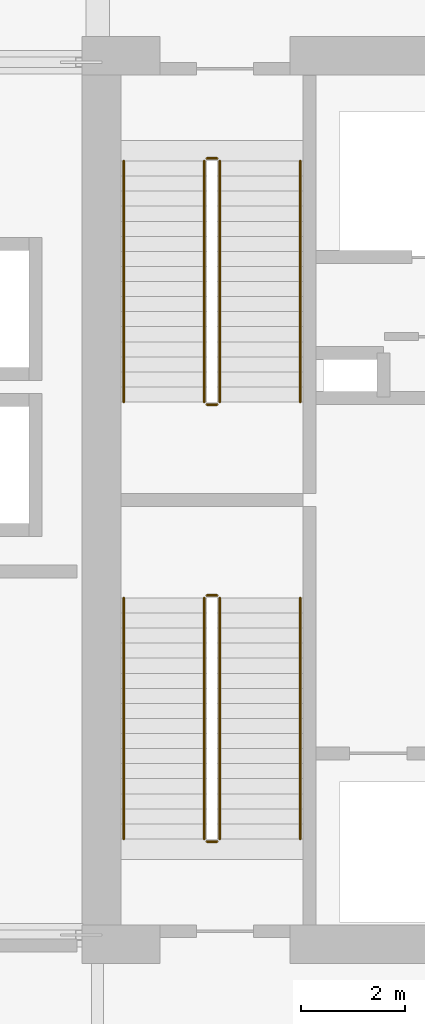
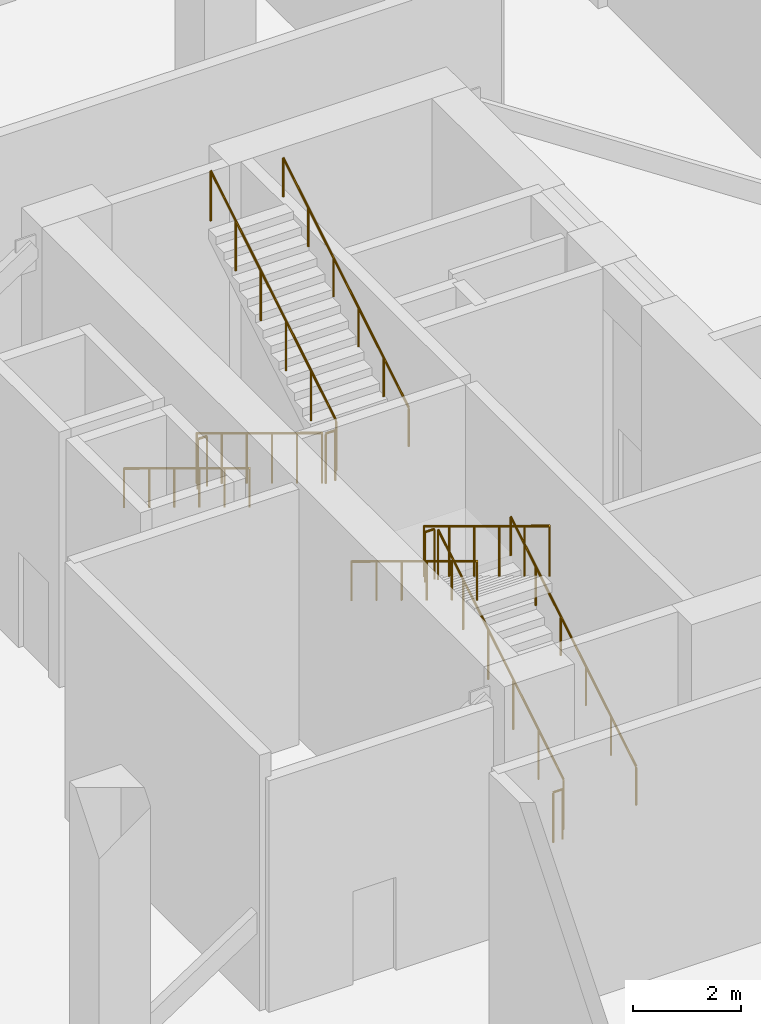
# One storey, part 16 of 16: 12 railings.
"""IFC4 building model written with IfcOpenShell, lengths in metres."""

import ifcopenshell
import ifcopenshell.guid

model = None  # the IFC model being written
_history = None  # IfcOwnerHistory: only IFC2X3 demands one
_inside = {}  # id of a spatial element -> (the spatial element, [elements in it])
_under = {}  # id of a project, library or spatial element -> (it, [spatial elements below it])
_declared = {}  # id of a project -> (the project, [libraries it declares])
_typed = {}  # id of a type object -> (the type object, [elements of that type])
_made_of = {}  # id of a material, layer set ... -> (it, [elements and type objects made of it])


def new_model(schema):
    """Start an empty IFC model of exactly this schema.

    Asked for "IFC4X3", IfcOpenShell would pick the latest addendum, in which some entities
    have other attributes; the version numbers below select the first issue.
    IFC2X3 requires an IfcOwnerHistory on every rooted entity: one is made here for all.
    """
    global model, _history
    if schema == "IFC4X3":
        model = ifcopenshell.file(schema_version=(4, 3, 0, 0))
    else:
        model = ifcopenshell.file(schema=schema)
    _inside.clear()
    _under.clear()
    _declared.clear()
    _typed.clear()
    _made_of.clear()
    _history = None
    if model.schema == "IFC2X3":
        org = make("IfcOrganization", Name="unknown")
        user = make(
            "IfcPersonAndOrganization",
            ThePerson=make("IfcPerson", FamilyName="unknown"),
            TheOrganization=org,
        )
        app = make(
            "IfcApplication",
            ApplicationDeveloper=org,
            Version="unknown",
            ApplicationFullName="unknown",
            ApplicationIdentifier="unknown",
        )
        _history = make(
            "IfcOwnerHistory",
            OwningUser=user,
            OwningApplication=app,
            ChangeAction="ADDED",
            CreationDate=0,
        )
    return model


def make(cls, **values):
    """One entity of the class cls with the attributes given. An attribute that is None is left unset."""
    return model.create_entity(
        cls, **{name: value for name, value in values.items() if value is not None}
    )


def rooted(cls, **values):
    """An entity with a GlobalId (a new one), such as an element, a storey or a relation."""
    return make(cls, GlobalId=ifcopenshell.guid.new(), OwnerHistory=_history, **values)


def si_unit(unit_type, name, prefix=None):
    """IfcSIUnit, for example si_unit("LENGTHUNIT", "METRE", prefix="MILLI")."""
    return make("IfcSIUnit", UnitType=unit_type, Prefix=prefix, Name=name)


def assignment(units):
    """IfcUnitAssignment: the units of a project."""
    return None if units is None else make("IfcUnitAssignment", Units=units)


def point(xyz):
    """IfcCartesianPoint."""
    return None if xyz is None else make("IfcCartesianPoint", Coordinates=xyz)


def direction(xyz):
    """IfcDirection."""
    return None if xyz is None else make("IfcDirection", DirectionRatios=xyz)


def frame(location, z_axis=None, x_axis=None):
    """IfcAxis2Placement3D, a coordinate frame: its origin and axes. An axis left out is left unset."""
    return make(
        "IfcAxis2Placement3D",
        Location=point(location),
        Axis=direction(z_axis),
        RefDirection=direction(x_axis),
    )


def frame_2d(location, x_axis=None):
    """IfcAxis2Placement2D, a coordinate frame in the plane: its origin and x axis."""
    return make(
        "IfcAxis2Placement2D", Location=point(location), RefDirection=direction(x_axis)
    )


def origin():
    """The frame at (0, 0, 0) with its axes left unset."""
    return frame((0.0, 0.0, 0.0))


def origin_2d():
    """The frame at (0, 0) in the plane with its x axis left unset."""
    return frame_2d((0.0, 0.0))


def place(relative_to, where):
    """IfcLocalPlacement: puts the frame where relative to a parent placement (None: the world)."""
    return make(
        "IfcLocalPlacement", PlacementRelTo=relative_to, RelativePlacement=where
    )


def context(
    kind, dimensions, precision=None, world=None, true_north=None, identifier=None
):
    """IfcGeometricRepresentationContext, for example the 3D "Model" context."""
    return make(
        "IfcGeometricRepresentationContext",
        ContextIdentifier=identifier,
        ContextType=kind,
        CoordinateSpaceDimension=dimensions,
        Precision=precision,
        WorldCoordinateSystem=world,
        TrueNorth=true_north,
    )


def subcontext(parent, identifier, kind, view, scale=None):
    """IfcGeometricRepresentationSubContext, for example "Body" below "Model"."""
    return make(
        "IfcGeometricRepresentationSubContext",
        ContextIdentifier=identifier,
        ContextType=kind,
        ParentContext=parent,
        TargetScale=scale,
        TargetView=view,
    )


def project(units=None, contexts=None):
    """IfcProject with its units and contexts."""
    return rooted(
        "IfcProject",
        Name="project",
        RepresentationContexts=contexts,
        UnitsInContext=assignment(units),
    )


def spatial(cls, under=None, at=None, **own):
    """A site, building, storey or space (cls), placed at a placement, below another one or the project."""
    s = rooted(cls, ObjectPlacement=at, **own)
    if under is not None:
        _under.setdefault(under.id(), (under, []))[1].append(s)
    return s


def profile(cls, at=None, kind="AREA", **sizes):
    """A parametric profile (cls). Its sizes go by their IFC names, for example OverallWidth=200.0."""
    return make(cls, ProfileType=kind, Position=at, **sizes)


def circle(**sizes):
    """IfcCircleProfileDef."""
    return profile("IfcCircleProfileDef", **sizes)


def extrude(swept, where, along, depth):
    """IfcExtrudedAreaSolid: the profile swept, set in the frame where, extruded along a direction by depth."""
    return make(
        "IfcExtrudedAreaSolid",
        SweptArea=swept,
        Position=where,
        ExtrudedDirection=direction(along),
        Depth=depth,
    )


def shape(context_of_items, identifier, shape_type, items):
    """IfcShapeRepresentation: the items that make up one representation, for example the "Body"."""
    return make(
        "IfcShapeRepresentation",
        ContextOfItems=context_of_items,
        RepresentationIdentifier=identifier,
        RepresentationType=shape_type,
        Items=items,
    )


def material(Name=None, Category=None):
    """IfcMaterial."""
    return make("IfcMaterial", Name=Name, Category=Category)


def made_of(thing, what):
    """Note that an element or type object is made of a material, layer set ...; save() writes the relation."""
    if what is not None:
        _made_of.setdefault(what.id(), (what, []))[1].append(thing)
    return thing


def type_object(cls, material=None, **own):
    """A type object (cls), such as IfcWallType, which elements share."""
    return made_of(rooted(cls, **own), material)


def element(
    cls,
    number,
    at=None,
    inside=None,
    cuts=None,
    type_object=None,
    material=None,
    context=None,
    identifier="Body",
    shape_type=None,
    held_by="IfcProductDefinitionShape",
    body=None,
    shapes=None,
    **own,
):
    """One element of the class cls, such as IfcWall. Its Tag is "e" and its number.

    at: its placement. inside: the storey or other place that contains it. cuts: it is an
    opening in that element (IfcRelVoidsElement). A single representation is given by context,
    identifier, shape_type and body (its items); several are given by shapes. held_by: the class
    of the entity that holds the representations. save() writes the other relations.
    """
    e = rooted(cls, Tag="e%d" % number, ObjectPlacement=at, **own)
    if body is not None:
        shapes = [shape(context, identifier, shape_type, body)]
    if shapes is not None:
        e.Representation = make(held_by, Representations=shapes)
    if inside is not None:
        _inside.setdefault(inside.id(), (inside, []))[1].append(e)
    if cuts is not None:
        rooted(
            "IfcRelVoidsElement", RelatingBuildingElement=cuts, RelatedOpeningElement=e
        )
    if type_object is not None:
        _typed.setdefault(type_object.id(), (type_object, []))[1].append(e)
    return made_of(e, material)


def aggregate(whole, parts):
    """IfcRelAggregates: a whole, such as a stair, and the parts it consists of."""
    return rooted("IfcRelAggregates", RelatingObject=whole, RelatedObjects=parts)


def save(model, path):
    """Write the relations noted so far, then the file.

    IfcRelAggregates (storeys below a building ...), IfcRelContainedInSpatialStructure (elements
    in a storey), IfcRelDefinesByType, IfcRelAssociatesMaterial and IfcRelDeclares: one each for
    every whole, place, type object, material and project.
    """
    for whole, parts in _under.values():
        aggregate(whole, parts)
    for where, things in _inside.values():
        rooted(
            "IfcRelContainedInSpatialStructure",
            RelatedElements=things,
            RelatingStructure=where,
        )
    for kind, things in _typed.values():
        rooted("IfcRelDefinesByType", RelatedObjects=things, RelatingType=kind)
    for what, things in _made_of.values():
        rooted("IfcRelAssociatesMaterial", RelatedObjects=things, RelatingMaterial=what)
    for by, libraries in _declared.values():
        rooted("IfcRelDeclares", RelatingContext=by, RelatedDefinitions=libraries)
    model.write(path)


model = new_model("IFC4")

# Units and contexts
model_context = context("Model", 3, precision=1e-05, world=origin(), true_north=direction((0.0, 1.0)))
body_context = subcontext(model_context, "Body", "Model", "MODEL_VIEW")
ifc_project = project(units=[si_unit("LENGTHUNIT", "METRE"), si_unit("AREAUNIT", "SQUARE_METRE"), si_unit("VOLUMEUNIT", "CUBIC_METRE"), si_unit("PLANEANGLEUNIT", "RADIAN"), si_unit("MASSUNIT", "GRAM", prefix="KILO")], contexts=[model_context])

# Site, building, storey
site_placement = place(None, origin())
site = spatial("IfcSite", under=ifc_project, at=site_placement, CompositionType="ELEMENT")
building_placement = place(site_placement, origin())
building = spatial("IfcBuilding", under=site, at=building_placement, Name="Koriwani Terraces Tower", CompositionType="ELEMENT")
storey_placement = place(building_placement, frame((0.0, 0.0, 162.0)))
storey = spatial("IfcBuildingStorey", under=building, at=storey_placement, Name="L39", CompositionType="ELEMENT", Elevation=162.0)

# Railings
ifc_material = material(Name="Steel ASTM A572 Grade 50", Category="steel")
railing_type_1 = type_object("IfcRailingType", Name="GUARD_STAIR_WELL_1120", PredefinedType="GUARDRAIL", material=ifc_material)
railing_1_placement = place(storey_placement, frame((19.14990234375, 43.85009765625, 0.176513671875)))
element("IfcRailing", 1, at=railing_1_placement, inside=storey, type_object=railing_type_1, Name="L39 ST-W1 stair guard 1", PredefinedType="GUARDRAIL", context=body_context, shape_type="SweptSolid", body=[
    extrude(circle(Radius=0.02392578125, at=origin_2d()), frame((0.0, 0.0, 1.1259765625), z_axis=(0.0, 0.854263648073, 0.51983999421), x_axis=(-1.0, 0.0, 0.0)), (0.0, 0.0, 1.0), 5.431396484375),
    extrude(circle(Radius=0.02099609375, at=origin_2d()), origin(), (0.0, 0.0, 1.0), 1.101806640625),
    extrude(circle(Radius=0.02099609375, at=origin_2d()), frame((0.0, 0.927978515625, 0.564697265625)), (0.0, 0.0, 1.0), 1.101806640625),
    extrude(circle(Radius=0.02099609375, at=origin_2d()), frame((0.0, 1.85595703125, 1.12939453125)), (0.0, 0.0, 1.0), 1.101806640625),
    extrude(circle(Radius=0.02099609375, at=origin_2d()), frame((0.0, 2.783935546875, 1.694091796875)), (0.0, 0.0, 1.0), 1.101806640625),
    extrude(circle(Radius=0.02099609375, at=origin_2d()), frame((0.0, 3.7119140625, 2.2587890625)), (0.0, 0.0, 1.0), 1.101806640625),
    extrude(circle(Radius=0.02099609375, at=origin_2d()), frame((0.0, 4.639892578125, 2.823486328125)), (0.0, 0.0, 1.0), 1.101806640625),
])
railing_2_placement = place(storey_placement, frame((19.10009765625, 48.5400390625, 3.0)))
element("IfcRailing", 2, at=railing_2_placement, inside=storey, type_object=railing_type_1, Name="L39 ST-W1 stair guard 2", PredefinedType="GUARDRAIL", context=body_context, shape_type="SweptSolid", body=[
    extrude(circle(Radius=0.02392578125, at=origin_2d()), frame((0.0, 0.0, 1.1259765625), z_axis=(-1.0, 0.0, 0.0), x_axis=(0.0, -1.0, 0.0)), (0.0, 0.0, 1.0), 0.2001953125),
    extrude(circle(Radius=0.02099609375, at=origin_2d()), origin(), (0.0, 0.0, 1.0), 1.101806640625),
    extrude(circle(Radius=0.02099609375, at=origin_2d()), frame((-0.2001953125, 0.0, 0.0)), (0.0, 0.0, 1.0), 1.101806640625),
])
railing_3_placement = place(storey_placement, frame((18.85009765625, 48.489990234375, 3.176513671875)))
element("IfcRailing", 3, at=railing_3_placement, inside=storey, type_object=railing_type_1, Name="L39 ST-W1 stair guard 3", PredefinedType="GUARDRAIL", context=body_context, shape_type="SweptSolid", body=[
    extrude(circle(Radius=0.02392578125, at=origin_2d()), frame((0.0, 0.0, 1.1259765625), z_axis=(0.0, -0.854263648073, 0.51983999421), x_axis=(1.0, 0.0, 0.0)), (0.0, 0.0, 1.0), 5.431396484375),
    extrude(circle(Radius=0.02099609375, at=origin_2d()), origin(), (0.0, 0.0, 1.0), 1.101806640625),
    extrude(circle(Radius=0.02099609375, at=origin_2d()), frame((0.0, -0.927978515625, 0.564697265625)), (0.0, 0.0, 1.0), 1.101806640625),
    extrude(circle(Radius=0.02099609375, at=origin_2d()), frame((0.0, -1.85595703125, 1.12939453125)), (0.0, 0.0, 1.0), 1.101806640625),
    extrude(circle(Radius=0.02099609375, at=origin_2d()), frame((0.0, -2.783935546875, 1.694091796875)), (0.0, 0.0, 1.0), 1.101806640625),
    extrude(circle(Radius=0.02099609375, at=origin_2d()), frame((0.0, -3.7119140625, 2.2587890625)), (0.0, 0.0, 1.0), 1.101806640625),
    extrude(circle(Radius=0.02099609375, at=origin_2d()), frame((0.0, -4.639892578125, 2.823486328125)), (0.0, 0.0, 1.0), 1.101806640625),
])
railing_4_placement = place(storey_placement, frame((19.10009765625, 43.800048828125, 0.0)))
element("IfcRailing", 4, at=railing_4_placement, inside=storey, type_object=railing_type_1, Name="L39 ST-W1 stair guard 4", PredefinedType="GUARDRAIL", context=body_context, shape_type="SweptSolid", body=[
    extrude(circle(Radius=0.02392578125, at=origin_2d()), frame((0.0, 0.0, 1.1259765625), z_axis=(-1.0, 0.0, 0.0), x_axis=(0.0, -1.0, 0.0)), (0.0, 0.0, 1.0), 0.2001953125),
    extrude(circle(Radius=0.02099609375, at=origin_2d()), origin(), (0.0, 0.0, 1.0), 1.101806640625),
    extrude(circle(Radius=0.02099609375, at=origin_2d()), frame((-0.2001953125, 0.0, 0.0)), (0.0, 0.0, 1.0), 1.101806640625),
])
railing_5_placement = place(storey_placement, frame((18.85009765625, 56.89990234375, 0.176513671875)))
element("IfcRailing", 5, at=railing_5_placement, inside=storey, type_object=railing_type_1, Name="L39 ST-W2 stair guard 1", PredefinedType="GUARDRAIL", context=body_context, shape_type="SweptSolid", body=[
    extrude(circle(Radius=0.02392578125, at=origin_2d()), frame((0.0, 0.0, 1.1259765625), z_axis=(0.0, -0.854263648073, 0.51983999421), x_axis=(1.0, 0.0, 0.0)), (0.0, 0.0, 1.0), 5.431396484375),
    extrude(circle(Radius=0.02099609375, at=origin_2d()), origin(), (0.0, 0.0, 1.0), 1.101806640625),
    extrude(circle(Radius=0.02099609375, at=origin_2d()), frame((0.0, -0.927978515625, 0.564697265625)), (0.0, 0.0, 1.0), 1.101806640625),
    extrude(circle(Radius=0.02099609375, at=origin_2d()), frame((0.0, -1.85595703125, 1.12939453125)), (0.0, 0.0, 1.0), 1.101806640625),
    extrude(circle(Radius=0.02099609375, at=origin_2d()), frame((0.0, -2.783935546875, 1.694091796875)), (0.0, 0.0, 1.0), 1.101806640625),
    extrude(circle(Radius=0.02099609375, at=origin_2d()), frame((0.0, -3.7119140625, 2.2587890625)), (0.0, 0.0, 1.0), 1.101806640625),
    extrude(circle(Radius=0.02099609375, at=origin_2d()), frame((0.0, -4.639892578125, 2.823486328125)), (0.0, 0.0, 1.0), 1.101806640625),
])
railing_6_placement = place(storey_placement, frame((18.89990234375, 52.2099609375, 3.0)))
element("IfcRailing", 6, at=railing_6_placement, inside=storey, type_object=railing_type_1, Name="L39 ST-W2 stair guard 2", PredefinedType="GUARDRAIL", context=body_context, shape_type="SweptSolid", body=[
    extrude(circle(Radius=0.02392578125, at=origin_2d()), frame((0.0, 0.0, 1.1259765625), z_axis=(1.0, 0.0, 0.0), x_axis=(0.0, 1.0, 0.0)), (0.0, 0.0, 1.0), 0.2001953125),
    extrude(circle(Radius=0.02099609375, at=origin_2d()), origin(), (0.0, 0.0, 1.0), 1.101806640625),
    extrude(circle(Radius=0.02099609375, at=origin_2d()), frame((0.2001953125, 0.0, 0.0)), (0.0, 0.0, 1.0), 1.101806640625),
])
railing_7_placement = place(storey_placement, frame((19.14990234375, 52.260009765625, 3.176513671875)))
element("IfcRailing", 7, at=railing_7_placement, inside=storey, type_object=railing_type_1, Name="L39 ST-W2 stair guard 3", PredefinedType="GUARDRAIL", context=body_context, shape_type="SweptSolid", body=[
    extrude(circle(Radius=0.02392578125, at=origin_2d()), frame((0.0, 0.0, 1.1259765625), z_axis=(0.0, 0.854263648073, 0.51983999421), x_axis=(-1.0, 0.0, 0.0)), (0.0, 0.0, 1.0), 5.431396484375),
    extrude(circle(Radius=0.02099609375, at=origin_2d()), origin(), (0.0, 0.0, 1.0), 1.101806640625),
    extrude(circle(Radius=0.02099609375, at=origin_2d()), frame((0.0, 0.927978515625, 0.564697265625)), (0.0, 0.0, 1.0), 1.101806640625),
    extrude(circle(Radius=0.02099609375, at=origin_2d()), frame((0.0, 1.85595703125, 1.12939453125)), (0.0, 0.0, 1.0), 1.101806640625),
    extrude(circle(Radius=0.02099609375, at=origin_2d()), frame((0.0, 2.783935546875, 1.694091796875)), (0.0, 0.0, 1.0), 1.101806640625),
    extrude(circle(Radius=0.02099609375, at=origin_2d()), frame((0.0, 3.7119140625, 2.2587890625)), (0.0, 0.0, 1.0), 1.101806640625),
    extrude(circle(Radius=0.02099609375, at=origin_2d()), frame((0.0, 4.639892578125, 2.823486328125)), (0.0, 0.0, 1.0), 1.101806640625),
])
railing_8_placement = place(storey_placement, frame((18.89990234375, 56.949951171875, 0.0)))
element("IfcRailing", 8, at=railing_8_placement, inside=storey, type_object=railing_type_1, Name="L39 ST-W2 stair guard 4", PredefinedType="GUARDRAIL", context=body_context, shape_type="SweptSolid", body=[
    extrude(circle(Radius=0.02392578125, at=origin_2d()), frame((0.0, 0.0, 1.1259765625), z_axis=(1.0, 0.0, 0.0), x_axis=(0.0, 1.0, 0.0)), (0.0, 0.0, 1.0), 0.2001953125),
    extrude(circle(Radius=0.02099609375, at=origin_2d()), origin(), (0.0, 0.0, 1.0), 1.101806640625),
    extrude(circle(Radius=0.02099609375, at=origin_2d()), frame((0.2001953125, 0.0, 0.0)), (0.0, 0.0, 1.0), 1.101806640625),
])
railing_type_2 = type_object("IfcRailingType", Name="HANDRAIL_STAIR_920", PredefinedType="HANDRAIL", material=ifc_material)
railing_9_placement = place(storey_placement, frame((20.699951171875, 43.85009765625, 0.176513671875)))
element("IfcRailing", 9, at=railing_9_placement, inside=storey, type_object=railing_type_2, Name="L39 ST-W1 stair handrail 1", PredefinedType="HANDRAIL", context=body_context, shape_type="SweptSolid", body=[
    extrude(circle(Radius=0.02392578125, at=origin_2d()), frame((0.0, 0.0, 0.8759765625), z_axis=(0.0, 0.854263648073, 0.51983999421), x_axis=(-1.0, 0.0, 0.0)), (0.0, 0.0, 1.0), 5.431396484375),
    extrude(circle(Radius=0.02099609375, at=origin_2d()), origin(), (0.0, 0.0, 1.0), 0.851806640625),
    extrude(circle(Radius=0.02099609375, at=origin_2d()), frame((0.0, 0.927978515625, 0.564697265625)), (0.0, 0.0, 1.0), 0.851806640625),
    extrude(circle(Radius=0.02099609375, at=origin_2d()), frame((0.0, 1.85595703125, 1.12939453125)), (0.0, 0.0, 1.0), 0.851806640625),
    extrude(circle(Radius=0.02099609375, at=origin_2d()), frame((0.0, 2.783935546875, 1.694091796875)), (0.0, 0.0, 1.0), 0.851806640625),
    extrude(circle(Radius=0.02099609375, at=origin_2d()), frame((0.0, 3.7119140625, 2.2587890625)), (0.0, 0.0, 1.0), 0.851806640625),
    extrude(circle(Radius=0.02099609375, at=origin_2d()), frame((0.0, 4.639892578125, 2.823486328125)), (0.0, 0.0, 1.0), 0.851806640625),
])
for number, where, name in (
    (10, (17.300048828125, 48.489990234375, 3.176513671875), "L39 ST-W1 stair handrail 2"),
    (11, (17.300048828125, 56.89990234375, 0.176513671875), "L39 ST-W2 stair handrail 1"),
):
    element("IfcRailing", number, at=place(storey_placement, frame(where)), inside=storey, type_object=railing_type_2, Name=name, PredefinedType="HANDRAIL", context=body_context, shape_type="SweptSolid", body=[
        extrude(circle(Radius=0.02392578125, at=origin_2d()), frame((0.0, 0.0, 0.8759765625), z_axis=(0.0, -0.854263648073, 0.51983999421), x_axis=(1.0, 0.0, 0.0)), (0.0, 0.0, 1.0), 5.431396484375),
        extrude(circle(Radius=0.02099609375, at=origin_2d()), origin(), (0.0, 0.0, 1.0), 0.851806640625),
        extrude(circle(Radius=0.02099609375, at=origin_2d()), frame((0.0, -0.927978515625, 0.564697265625)), (0.0, 0.0, 1.0), 0.851806640625),
        extrude(circle(Radius=0.02099609375, at=origin_2d()), frame((0.0, -1.85595703125, 1.12939453125)), (0.0, 0.0, 1.0), 0.851806640625),
        extrude(circle(Radius=0.02099609375, at=origin_2d()), frame((0.0, -2.783935546875, 1.694091796875)), (0.0, 0.0, 1.0), 0.851806640625),
        extrude(circle(Radius=0.02099609375, at=origin_2d()), frame((0.0, -3.7119140625, 2.2587890625)), (0.0, 0.0, 1.0), 0.851806640625),
        extrude(circle(Radius=0.02099609375, at=origin_2d()), frame((0.0, -4.639892578125, 2.823486328125)), (0.0, 0.0, 1.0), 0.851806640625),
    ])
railing_10_placement = place(storey_placement, frame((20.699951171875, 52.260009765625, 3.176513671875)))
element("IfcRailing", 12, at=railing_10_placement, inside=storey, type_object=railing_type_2, Name="L39 ST-W2 stair handrail 2", PredefinedType="HANDRAIL", context=body_context, shape_type="SweptSolid", body=[
    extrude(circle(Radius=0.02392578125, at=origin_2d()), frame((0.0, 0.0, 0.8759765625), z_axis=(0.0, 0.854263648073, 0.51983999421), x_axis=(-1.0, 0.0, 0.0)), (0.0, 0.0, 1.0), 5.431396484375),
    extrude(circle(Radius=0.02099609375, at=origin_2d()), origin(), (0.0, 0.0, 1.0), 0.851806640625),
    extrude(circle(Radius=0.02099609375, at=origin_2d()), frame((0.0, 0.927978515625, 0.564697265625)), (0.0, 0.0, 1.0), 0.851806640625),
    extrude(circle(Radius=0.02099609375, at=origin_2d()), frame((0.0, 1.85595703125, 1.12939453125)), (0.0, 0.0, 1.0), 0.851806640625),
    extrude(circle(Radius=0.02099609375, at=origin_2d()), frame((0.0, 2.783935546875, 1.694091796875)), (0.0, 0.0, 1.0), 0.851806640625),
    extrude(circle(Radius=0.02099609375, at=origin_2d()), frame((0.0, 3.7119140625, 2.2587890625)), (0.0, 0.0, 1.0), 0.851806640625),
    extrude(circle(Radius=0.02099609375, at=origin_2d()), frame((0.0, 4.639892578125, 2.823486328125)), (0.0, 0.0, 1.0), 0.851806640625),
])

save(model, "model.ifc")
